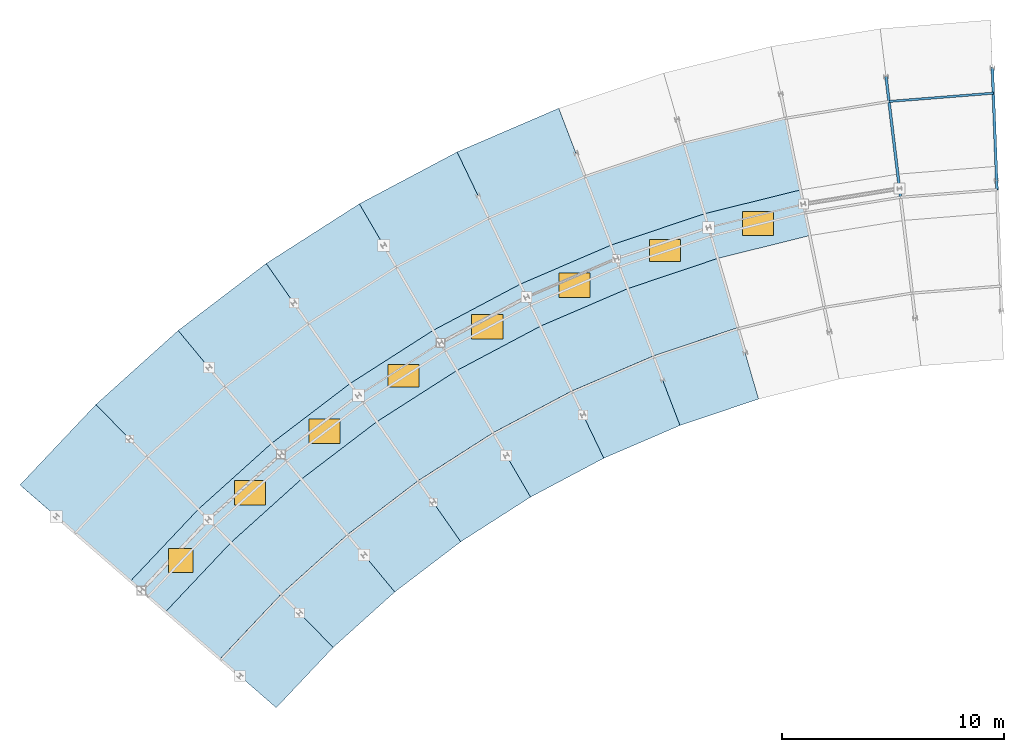
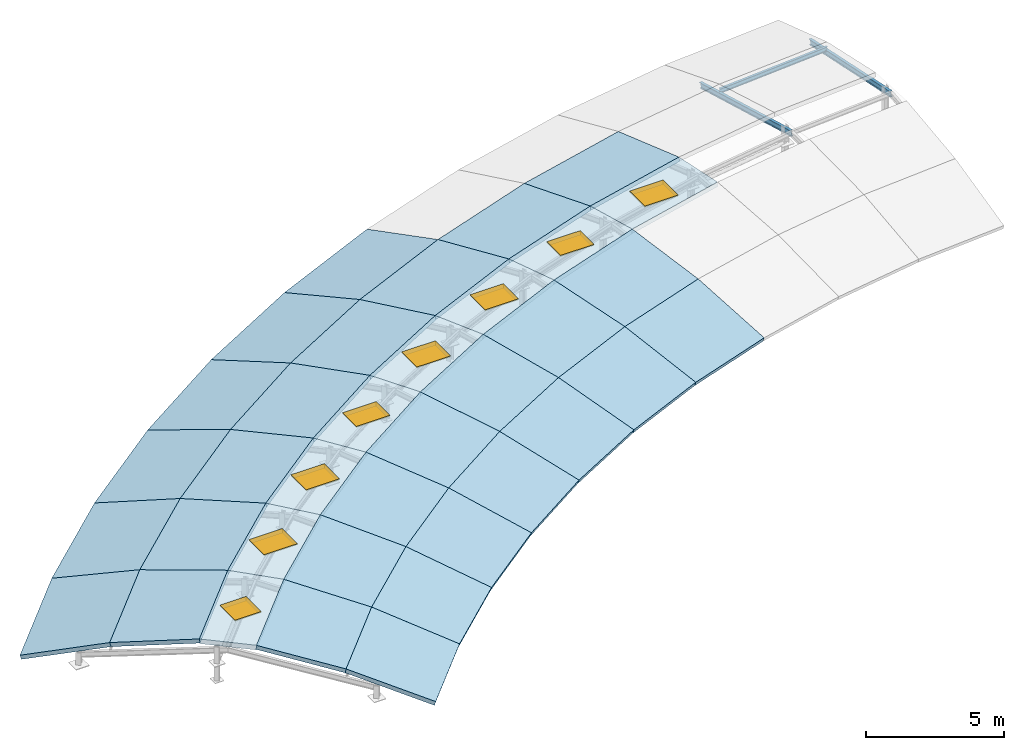
# One storey, part 7 of 8: 36 slabs, 8 windows, 3 beams, 8 openings.
"""IFC4 building model written with IfcOpenShell, lengths in metres."""

from ifc_helpers import new_model, si_unit, direction, frame, origin, origin_2d, place, context, subcontext, project, spatial, polyline, rectangle, i_section, outline, extrude, material, layer, layer_set, material_profile, profile_set, type_object, element, fill, save


model = new_model("IFC4")

# Units and contexts
model_context = context("Model", 3, precision=1e-05, world=origin(), true_north=direction((0.0, 1.0)))
body_context = subcontext(model_context, "Body", "Model", "MODEL_VIEW")
ifc_project = project(units=[si_unit("LENGTHUNIT", "METRE"), si_unit("AREAUNIT", "SQUARE_METRE"), si_unit("VOLUMEUNIT", "CUBIC_METRE"), si_unit("PLANEANGLEUNIT", "RADIAN"), si_unit("MASSUNIT", "GRAM", prefix="KILO")], contexts=[model_context])

# Site, building, storey
site_placement = place(None, origin())
site = spatial("IfcSite", under=ifc_project, at=site_placement, CompositionType="ELEMENT")
building_placement = place(site_placement, origin())
building = spatial("IfcBuilding", under=site, at=building_placement, Name="Zimvara Arc Housing Community", CompositionType="ELEMENT")
storey_placement = place(building_placement, frame((0.0, 0.0, 45.300048828125)))
storey = spatial("IfcBuildingStorey", under=building, at=storey_placement, Name="RF", CompositionType="ELEMENT", Elevation=45.300048828125)

# Beams
ifc_material_1 = material(Name="Steel S355", Category="steel")
ifc_material_profile_1 = material_profile(ifc_material_1, i_section(OverallWidth=0.10009765625, OverallDepth=0.199951171875, WebThickness=0.005615234375, FlangeThickness=0.008544921875, FilletRadius=0.011962890625, at=origin_2d()), Name="IPE 200")
ifc_profile_set_1 = profile_set([ifc_material_profile_1], Name="Steel S355")
beam_type_1 = type_object("IfcBeamType", Name="BM-ST-IPE200", PredefinedType="JOIST", material=ifc_profile_set_1)
beam_placement = place(storey_placement, frame((38.08203125, 101.834228515625, 0.824951171875), z_axis=(0.996862345844, 0.079154680453, 0.0), x_axis=(-0.079154680453, 0.996862345844, 0.0)))
element("IfcBeam", 1, at=beam_placement, inside=storey, type_object=beam_type_1, Name="bm:blkA:RF:p_out:b9", PredefinedType="JOIST", context=body_context, shape_type="SweptSolid", body=[
    extrude(i_section(OverallWidth=0.10009765625, OverallDepth=0.199951171875, WebThickness=0.005615234375, FlangeThickness=0.008544921875, FilletRadius=0.011962890625, at=origin_2d()), origin(), (0.0, 0.0, 1.0), 4.716064453125),
])
ifc_material_2 = material(Name="Steel S355", Category="steel")
ifc_material_profile_2 = material_profile(ifc_material_2, i_section(OverallWidth=0.1201171875, OverallDepth=0.239990234375, WebThickness=0.006103515625, FlangeThickness=0.009765625, FilletRadius=0.014892578125, at=origin_2d()), Name="IPE 240")
ifc_profile_set_2 = profile_set([ifc_material_profile_2], Name="Steel S355")
beam_type_2 = type_object("IfcBeamType", Name="BM-ST-IPE240", PredefinedType="JOIST", material=ifc_profile_set_2)
for number, where, z_axis, x_axis, name in (
    (2, (38.603271484375, 97.515380859375, 1.39501953125), (-0.118098105416, 0.978734205727, -0.167726539451), (-0.992798627952, -0.119795176601, 0.0), "bm:blkA:RF:rf_out:g9"),
    (3, (42.9501953125, 97.860595703125, 1.39501953125), (-0.037858296686, 0.985106258315, -0.167727186826), (-0.999262358654, -0.038402325152, 0.0), "bm:blkA:RF:rf_out:g10"),
):
    element("IfcBeam", number, at=place(storey_placement, frame(where, z_axis=z_axis, x_axis=x_axis)), inside=storey, type_object=beam_type_2, Name=name, PredefinedType="JOIST", context=body_context, shape_type="SweptSolid", body=[
        extrude(i_section(OverallWidth=0.1201171875, OverallDepth=0.239990234375, WebThickness=0.006103515625, FlangeThickness=0.009765625, FilletRadius=0.014892578125, at=origin_2d()), origin(), (0.0, 0.0, 1.0), 5.558837890625),
    ])

# Slabs
ifc_material_3 = material(Name="Concrete C40/50", Category="concrete")
ifc_layer_1 = layer(ifc_material_3, 0.179931640625)
ifc_layer_set_1 = layer_set([ifc_layer_1], Name="Concrete C40/50")
slab_type_1 = type_object("IfcSlabType", Name="SLB-BRL-ROOF-180", PredefinedType="ROOF", material=ifc_layer_set_1)
slab_1_placement = place(storey_placement, frame((10.471923828125, 74.5146484375, 0.119873046875), z_axis=(0.211074141354, -0.199193726997, 0.956958497521), x_axis=(0.686355593412, 0.727266113169, -5.297975e-06)))
element("IfcSlab", 4, at=slab_1_placement, inside=storey, type_object=slab_type_1, Name="roof:blkA:in1:b0:t0", PredefinedType="ROOF", context=body_context, shape_type="SweptSolid", body=[
    extrude(outline(polyline([(0.0, 0.0), (3.735971037857521, -4.440892098500626e-16), (3.8705966862365684, 3.445675591919072), (-0.1347996136052343, 3.4455342753605955), (0.0, 0.0)])), origin(), (0.0, 0.0, -1.0), 0.179931640625),
])
slab_2_placement = place(storey_placement, frame((7.9814453125, 76.6796875, 1.119873046875), z_axis=(0.130227289342, -0.122888904772, 0.983838996073), x_axis=(0.686329560506, 0.727290680792, -2.930405e-06)))
element("IfcSlab", 5, at=slab_2_placement, inside=storey, type_object=slab_type_1, Name="roof:blkA:in2:b0:t0", PredefinedType="ROOF", context=body_context, shape_type="SweptSolid", body=[
    extrude(outline(polyline([(0.0, 0.0), (4.005396302370371, 0.0), (4.140143519555409, 3.3515316997951), (-0.13467804989970555, 3.351396186473663), (0.0, 0.0)])), origin(), (0.0, 0.0, -1.0), 0.179931640625),
])
slab_3_placement = place(storey_placement, frame((2.346435546875, 88.17822265625, 0.119873046875), z_axis=(-0.211079264634, 0.199188298067, 0.956958497509), x_axis=(-0.686315124045, -0.727304303915, 3.777367e-06)))
element("IfcSlab", 6, at=slab_3_placement, inside=storey, type_object=slab_type_1, Name="roof:blkA:out2:b0:t0", PredefinedType="ROOF", context=body_context, shape_type="SweptSolid", body=[
    extrude(outline(polyline([(0.0, 0.0), (4.985160245557532, -8.881784197001252e-16), (4.850553179842792, 3.445541803027941), (0.1348182040473599, 3.4456680632130485), (0.0, 0.0)])), origin(), (0.0, 0.0, -1.0), 0.179931640625),
])
slab_4_placement = place(storey_placement, frame((4.652099609375, 85.817138671875, 1.119873046875), z_axis=(-0.130228031957, 0.122894534297, 0.983838194589), x_axis=(-0.686334567989, -0.727285955305, -5.40002e-07)))
element("IfcSlab", 7, at=slab_4_placement, inside=storey, type_object=slab_type_1, Name="roof:blkA:out1:b0:t0", PredefinedType="ROOF", context=body_context, shape_type="SweptSolid", body=[
    extrude(outline(polyline([(0.0, 0.0), (4.715734977526038, 0.0), (4.581035660206606, 3.3513953317811236), (0.134548388764996, 3.351367700663763), (0.0, 0.0)])), origin(), (0.0, 0.0, -1.0), 0.179931640625),
])
slab_5_placement = place(storey_placement, frame((13.0361328125, 77.231689453125, 0.119873046875), z_axis=(0.194129981956, -0.215749813979, 0.956956408555), x_axis=(0.743345251785, 0.668907943228, 1.1666158e-05)))
element("IfcSlab", 8, at=slab_5_placement, inside=storey, type_object=slab_type_1, Name="roof:blkA:in1:b1:t0", PredefinedType="ROOF", context=body_context, shape_type="SweptSolid", body=[
    extrude(outline(polyline([(0.0, 0.0), (3.735960436017862, 2.220446049250313e-16), (3.870768920284871, 3.4453675758774387), (-0.1345449351358266, 3.4456787442724703), (0.0, 0.0)])), origin(), (0.0, 0.0, -1.0), 0.179931640625),
])
slab_6_placement = place(storey_placement, frame((10.73046875, 79.5927734375, 1.119873046875), z_axis=(0.119759088135, -0.133110822128, 0.983839046715), x_axis=(0.743397502482, 0.668849873512, 2.591404e-06)))
element("IfcSlab", 9, at=slab_6_placement, inside=storey, type_object=slab_type_1, Name="roof:blkA:in2:b1:t0", PredefinedType="ROOF", context=body_context, shape_type="SweptSolid", body=[
    extrude(outline(polyline([(0.0, 0.0), (4.005313867752914, -4.440892098500626e-16), (4.14001797887404, 3.35140923369186), (-0.1348126262298172, 3.3515290694115416), (0.0, 0.0)])), origin(), (0.0, 0.0, -1.0), 0.179931640625),
])
slab_7_placement = place(storey_placement, frame((6.052490234375, 91.5126953125, 0.119873046875), z_axis=(-0.194121217276, 0.215747860528, 0.956958626943), x_axis=(-0.743390820217, -0.66885730048, -3.552249e-06)))
element("IfcSlab", 10, at=slab_7_placement, inside=storey, type_object=slab_type_1, Name="roof:blkA:out2:b1:t0", PredefinedType="ROOF", context=body_context, shape_type="SweptSolid", body=[
    extrude(outline(polyline([(0.0, 0.0), (4.985333413291151, -4.440892098500626e-16), (4.850548622471289, 3.4456693704122743), (0.13473194530120491, 3.4455506315936573), (0.0, 0.0)])), origin(), (0.0, 0.0, -1.0), 0.179931640625),
])
slab_8_placement = place(storey_placement, frame((8.15771484375, 88.971435546875, 1.119873046875), z_axis=(-0.119768131478, 0.133109101782, 0.983838178617), x_axis=(-0.743374059817, -0.668875928099, 9.67496e-07)))
element("IfcSlab", 11, at=slab_8_placement, inside=storey, type_object=slab_type_1, Name="roof:blkA:out1:b1:t0", PredefinedType="ROOF", context=body_context, shape_type="SweptSolid", body=[
    extrude(outline(polyline([(0.0, 0.0), (4.715816678698966, 4.440892098500626e-16), (4.580955346156924, 3.3513551221769617), (0.13481870016667144, 3.351404626034159), (0.0, 0.0)])), origin(), (0.0, 0.0, -1.0), 0.179931640625),
])
slab_9_placement = place(storey_placement, frame((15.813232421875, 79.730712890625, 0.119873046875), z_axis=(0.175882009025, -0.230875457384, 0.956954566361), x_axis=(0.79548303018, 0.605975864746, -6.477378e-06)))
element("IfcSlab", 12, at=slab_9_placement, inside=storey, type_object=slab_type_1, Name="roof:blkA:in1:b2:t0", PredefinedType="ROOF", context=body_context, shape_type="SweptSolid", body=[
    extrude(outline(polyline([(0.0, 0.0), (3.7359934375398796, 2.220446049250313e-16), (3.8704066628026528, 3.4455374339521803), (-0.1348827881606636, 3.4453646679605323), (0.0, 0.0)])), origin(), (0.0, 0.0, -1.0), 0.179931640625),
])
slab_10_placement = place(storey_placement, frame((13.7080078125, 82.271728515625, 1.119873046875), z_axis=(0.108511024271, -0.142432268418, 0.983838607966), x_axis=(0.795456857751, 0.606010220588, -4.35026e-07)))
element("IfcSlab", 13, at=slab_10_placement, inside=storey, type_object=slab_type_1, Name="roof:blkA:in2:b2:t0", PredefinedType="ROOF", context=body_context, shape_type="SweptSolid", body=[
    extrude(outline(polyline([(0.0, 0.0), (4.005289454768839, 0.0), (4.140193456500459, 3.351434086661108), (-0.13458622255513092, 3.351413969958724), (0.0, 0.0)])), origin(), (0.0, 0.0, -1.0), 0.179931640625),
])
slab_11_placement = place(storey_placement, frame((10.01806640625, 94.53369140625, 0.119873046875), z_axis=(-0.175875567209, 0.230868180919, 0.956957505795), x_axis=(-0.795470079443, -0.605992865231, 7.51366e-07)))
element("IfcSlab", 14, at=slab_11_placement, inside=storey, type_object=slab_type_1, Name="roof:blkA:out2:b2:t0", PredefinedType="ROOF", context=body_context, shape_type="SweptSolid", body=[
    extrude(outline(polyline([(0.0, 0.0), (4.985199271180663, -8.881784197001252e-16), (4.850542121948817, 3.4455535555913195), (0.13483307454506263, 3.4455786701041937), (0.0, 0.0)])), origin(), (0.0, 0.0, -1.0), 0.179931640625),
])
slab_12_placement = place(storey_placement, frame((11.908935546875, 91.8291015625, 1.119873046875), z_axis=(-0.108506384544, 0.142435802798, 0.983838608002), x_axis=(-0.79547337268, -0.605988542265, 5.33454e-07)))
element("IfcSlab", 15, at=slab_12_placement, inside=storey, type_object=slab_type_1, Name="roof:blkA:out1:b2:t0", PredefinedType="ROOF", context=body_context, shape_type="SweptSolid", body=[
    extrude(outline(polyline([(0.0, 0.0), (4.715709047471562, 0.0), (4.5810335482169995, 3.351410383589765), (0.1348147243754488, 3.3514376791170317), (0.0, 0.0)])), origin(), (0.0, 0.0, -1.0), 0.179931640625),
])
slab_13_placement = place(storey_placement, frame((18.78515625, 81.99462890625, 0.119873046875), z_axis=(0.156447102346, -0.244455462342, 0.956956546087), x_axis=(0.842280674897, 0.539039205154, -1.350984e-06)))
element("IfcSlab", 16, at=slab_13_placement, inside=storey, type_object=slab_type_1, Name="roof:blkA:in1:b3:t0", PredefinedType="ROOF", context=body_context, shape_type="SweptSolid", body=[
    extrude(outline(polyline([(0.0, 0.0), (3.735671069869153, -4.440892098500626e-16), (3.8704504421113164, 3.4455465624924706), (-0.13510116354909282, 3.4455105282251943), (0.0, 0.0)])), origin(), (0.0, 0.0, -1.0), 0.179931640625),
])
slab_14_placement = place(storey_placement, frame((16.89404296875, 84.698974609375, 1.119873046875), z_axis=(0.096520263399, -0.150811921705, 0.983839216043), x_axis=(0.842275634914, 0.539047080343, -1.971929e-06)))
element("IfcSlab", 17, at=slab_14_placement, inside=storey, type_object=slab_type_1, Name="roof:blkA:in2:b3:t0", PredefinedType="ROOF", context=body_context, shape_type="SweptSolid", body=[
    extrude(outline(polyline([(0.0, 0.0), (4.005551605817919, 2.220446049250313e-16), (4.140156340747122, 3.3515321610769826), (-0.1347329305100551, 3.3514409683436224), (0.0, 0.0)])), origin(), (0.0, 0.0, -1.0), 0.179931640625),
])
slab_15_placement = place(storey_placement, frame((14.217041015625, 97.220947265625, 0.119873046875), z_axis=(-0.15645556572, 0.244456343302, 0.956954937379), x_axis=(-0.842278268879, -0.539042964638, -6.950205e-06)))
element("IfcSlab", 18, at=slab_15_placement, inside=storey, type_object=slab_type_1, Name="roof:blkA:out2:b3:t0", PredefinedType="ROOF", context=body_context, shape_type="SweptSolid", body=[
    extrude(outline(polyline([(0.0, 0.0), (4.98525143023, -4.440892098500626e-16), (4.850496621088939, 3.4455817317233937), (0.13465688789324845, 3.445349422672999), (0.0, 0.0)])), origin(), (0.0, 0.0, -1.0), 0.179931640625),
])
slab_16_placement = place(storey_placement, frame((15.880859375, 94.371337890625, 1.119873046875), z_axis=(-0.096524010995, 0.150809523184, 0.98383921604), x_axis=(-0.842251807739, -0.539084309138, 1.549914e-06)))
element("IfcSlab", 19, at=slab_16_placement, inside=storey, type_object=slab_type_1, Name="roof:blkA:out1:b3:t0", PredefinedType="ROOF", context=body_context, shape_type="SweptSolid", body=[
    extrude(outline(polyline([(0.0, 0.0), (4.715839739050771, 0.0), (4.5812546646801, 3.351446909115788), (0.13475259489841845, 3.3515262194373645), (0.0, 0.0)])), origin(), (0.0, 0.0, -1.0), 0.179931640625),
])
slab_17_placement = place(storey_placement, frame((21.931640625, 84.00830078125, 0.119873046875), z_axis=(0.135986745454, -0.256395013371, 0.95695830744), x_axis=(0.883439094078, 0.468546013796, -3.287226e-06)))
element("IfcSlab", 20, at=slab_17_placement, inside=storey, type_object=slab_type_1, Name="roof:blkA:in1:b4:t0", PredefinedType="ROOF", context=body_context, shape_type="SweptSolid", body=[
    extrude(outline(polyline([(0.0, 0.0), (3.7360078202528384, 0.0), (3.8706256657567035, 3.445641334457608), (-0.13459796669446164, 3.445553653726859), (0.0, 0.0)])), origin(), (0.0, 0.0, -1.0), 0.179931640625),
])
slab_18_placement = place(storey_placement, frame((20.267822265625, 86.858154296875, 1.119873046875), z_axis=(0.083896599764, -0.158184502053, 0.983838921703), x_axis=(0.883429102456, 0.468564852422, 3.049312e-06)))
element("IfcSlab", 21, at=slab_18_placement, inside=storey, type_object=slab_type_1, Name="roof:blkA:in2:b4:t0", PredefinedType="ROOF", context=body_context, shape_type="SweptSolid", body=[
    extrude(outline(polyline([(0.0, 0.0), (4.005223633412223, 0.0), (4.140132590415215, 3.35138578778436), (-0.13473821894886587, 3.3515267973960094), (0.0, 0.0)])), origin(), (0.0, 0.0, -1.0), 0.179931640625),
])
slab_19_placement = place(storey_placement, frame((18.62109375, 99.556884765625, 0.119873046875), z_axis=(-0.135988231585, 0.256404064967, 0.956955671042), x_axis=(-0.883425537686, -0.468571573286, 8.54743e-06)))
element("IfcSlab", 22, at=slab_19_placement, inside=storey, type_object=slab_type_1, Name="roof:blkA:out2:b4:t0", PredefinedType="ROOF", context=body_context, shape_type="SweptSolid", body=[
    extrude(outline(polyline([(0.0, 0.0), (4.985206564334068, 2.220446049250313e-16), (4.850601431115946, 3.445351444948666), (0.13472507885902446, 3.4456371430200474), (0.0, 0.0)])), origin(), (0.0, 0.0, -1.0), 0.179931640625),
])
slab_20_placement = place(storey_placement, frame((20.047119140625, 96.580810546875, 1.119873046875), z_axis=(-0.083893074073, 0.15818637194, 0.983838921702), x_axis=(-0.883453774084, -0.46851833374, -2.477548e-06)))
element("IfcSlab", 23, at=slab_20_placement, inside=storey, type_object=slab_type_1, Name="roof:blkA:out1:b4:t0", PredefinedType="ROOF", context=body_context, shape_type="SweptSolid", body=[
    extrude(outline(polyline([(0.0, 0.0), (4.715876361106288, -4.440892098500626e-16), (4.580961198942517, 3.351519679241113), (0.1347320209538108, 3.3513929056118434), (0.0, 0.0)])), origin(), (0.0, 0.0, -1.0), 0.179931640625),
])
slab_21_placement = place(storey_placement, frame((25.232177734375, 85.7587890625, 0.119873046875), z_axis=(0.114613530394, -0.266635262251, 0.956958398038), x_axis=(0.918715489381, 0.394920054652, 2.494021e-06)))
element("IfcSlab", 24, at=slab_21_placement, inside=storey, type_object=slab_type_1, Name="roof:blkA:in1:b5:t0", PredefinedType="ROOF", context=body_context, shape_type="SweptSolid", body=[
    extrude(outline(polyline([(0.0, 0.0), (3.735792050774291, 2.220446049250313e-16), (3.8706919223056087, 3.4455677780018448), (-0.13479772747975743, 3.445634301951835), (0.0, 0.0)])), origin(), (0.0, 0.0, -1.0), 0.179931640625),
])
slab_22_placement = place(storey_placement, frame((23.80615234375, 88.73486328125, 1.119873046875), z_axis=(0.070712457889, -0.164501230055, 0.983838957152), x_axis=(0.918721848751, 0.39490526031, -2.722971e-06)))
element("IfcSlab", 25, at=slab_22_placement, inside=storey, type_object=slab_type_1, Name="roof:blkA:in2:b5:t0", PredefinedType="ROOF", context=body_context, shape_type="SweptSolid", body=[
    extrude(outline(polyline([(0.0, 0.0), (4.00548965033428, 0.0), (4.140107999868526, 3.351522899930278), (-0.13463065590513612, 3.351396979136369), (0.0, 0.0)])), origin(), (0.0, 0.0, -1.0), 0.179931640625),
])
slab_23_placement = place(storey_placement, frame((23.201171875, 101.525634765625, 0.119873046875), z_axis=(-0.114611047835, 0.266632099941, 0.956959576469), x_axis=(-0.918719042935, -0.394911787806, 8.43398e-07)))
element("IfcSlab", 26, at=slab_23_placement, inside=storey, type_object=slab_type_1, Name="roof:blkA:out2:b5:t0", PredefinedType="ROOF", context=body_context, shape_type="SweptSolid", body=[
    extrude(outline(polyline([(0.0, 0.0), (4.985287573809982, 0.0), (4.85045852550313, 3.4456330765084333), (0.13464425467639266, 3.445661268397966), (0.0, 0.0)])), origin(), (0.0, 0.0, -1.0), 0.179931640625),
])
slab_24_placement = place(storey_placement, frame((24.379638671875, 98.443115234375, 1.119873046875), z_axis=(-0.070710621349, 0.164504777522, 0.983838495994), x_axis=(-0.918721451973, -0.394906183397, 5.98803e-07)))
element("IfcSlab", 27, at=slab_24_placement, inside=storey, type_object=slab_type_1, Name="roof:blkA:out1:b5:t0", PredefinedType="ROOF", context=body_context, shape_type="SweptSolid", body=[
    extrude(outline(polyline([(0.0, 0.0), (4.715814270912177, 2.220446049250313e-16), (4.581188921288734, 3.351397192310583), (0.13484795317470274, 3.351427832251744), (0.0, 0.0)])), origin(), (0.0, 0.0, -1.0), 0.179931640625),
])
slab_25_placement = place(storey_placement, frame((28.664306640625, 87.234130859375, 0.119873046875), z_axis=(0.092474087513, -0.275106520269, 0.956956083446), x_axis=(0.947876950025, 0.318636607415, 5.175022e-06)))
element("IfcSlab", 28, at=slab_25_placement, inside=storey, type_object=slab_type_1, Name="roof:blkA:in1:b6:t0", PredefinedType="ROOF", context=body_context, shape_type="SweptSolid", body=[
    extrude(outline(polyline([(0.0, 0.0), (3.735992982877189, 2.220446049250313e-16), (3.8707570405482006, 3.445441419482121), (-0.13460135710647503, 3.4455794523556467), (0.0, 0.0)])), origin(), (0.0, 0.0, -1.0), 0.179931640625),
])
slab_26_placement = place(storey_placement, frame((27.486083984375, 90.316650390625, 1.119873046875), z_axis=(0.057048152741, -0.169719046301, 0.983839902419), x_axis=(0.947887804654, 0.318604315387, -2.061013e-06)))
element("IfcSlab", 29, at=slab_26_placement, inside=storey, type_object=slab_type_1, Name="roof:blkA:in2:b6:t0", PredefinedType="ROOF", context=body_context, shape_type="SweptSolid", body=[
    extrude(outline(polyline([(0.0, 0.0), (4.0053584000752895, 0.0), (4.139850087019136, 3.351604812491285), (-0.13495151683660364, 3.351509501246324), (0.0, 0.0)])), origin(), (0.0, 0.0, -1.0), 0.179931640625),
])
slab_27_placement = place(storey_placement, frame((28.849609375, 99.94580078125, 1.119873046875), z_axis=(-0.057054089524, 0.169721364154, 0.983839158307), x_axis=(-0.947872672327, -0.318649332421, 1.613151e-06)))
element("IfcSlab", 30, at=slab_27_placement, inside=storey, type_object=slab_type_1, Name="roof:blkA:out1:b6:t0", PredefinedType="ROOF", context=body_context, shape_type="SweptSolid", body=[
    extrude(outline(polyline([(0.0, 0.0), (4.715792821946596, -2.220446049250313e-16), (4.58123152302494, 3.351439353777418), (0.13488190915125228, 3.3515218980109505), (0.0, 0.0)])), origin(), (0.0, 0.0, -1.0), 0.179931640625),
])
slab_28_placement = place(storey_placement, frame((33.42724609375, 101.07861328125, 1.119873046875), z_axis=(-0.04301214547, 0.173809145571, 0.983839588682), x_axis=(-0.970718356208, -0.240220467321, -1.67684e-07)))
element("IfcSlab", 31, at=slab_28_placement, inside=storey, type_object=slab_type_1, Name="roof:blkA:out1:b7:t0", PredefinedType="ROOF", context=body_context, shape_type="SweptSolid", body=[
    extrude(outline(polyline([(0.0, 0.0), (4.715720739081553, 0.0), (4.581019915413614, 3.3515291809001946), (0.13465898671763693, 3.3515206005421576), (0.0, 0.0)])), origin(), (0.0, 0.0, -1.0), 0.179931640625),
])

# Slab, opening, window
ifc_material_4 = material(Name="Concrete C40/50", Category="concrete")
ifc_layer_2 = layer(ifc_material_4, 0.205078125)
ifc_layer_set_2 = layer_set([ifc_layer_2], Name="Concrete C40/50")
slab_type_2 = type_object("IfcSlabType", Name="SLB-CURB-ROOF-205", PredefinedType="ROOF", material=ifc_layer_set_2)
slab_29_placement = place(storey_placement, frame((0.0, 0.0, 1.514892578125)))
slab_29 = element("IfcSlab", 32, at=slab_29_placement, inside=storey, type_object=slab_type_2, Name="roof:blkA:curb:b0", PredefinedType="ROOF", context=body_context, shape_type="SweptSolid", body=[
    extrude(outline(polyline([(5.490966796875, 78.8447265625), (8.4248046875, 81.953857421875), (6.957763671875, 83.456298828125), (3.906005859375, 80.222412109375), (5.490966796875, 78.8447265625)])), origin(), (0.0, 0.0, 1.0), 0.205078125),
])
opening_1_placement = place(slab_29_placement, frame((6.16259765625, 81.14990234375, 0.0)))
opening_1 = element("IfcOpeningElement", 33, at=opening_1_placement, cuts=slab_29, Name="Opening SK4", PredefinedType="OPENING", context=body_context, shape_type="SweptSolid", body=[
    extrude(rectangle(XDim=1.10009765625, YDim=1.10009765625, at=origin_2d()), origin(), (0.0, 0.0, 1.0), 0.205078125),
])
ifc_material_5 = material(Name="Solar Control Low-E Double Glazing", Category="glass")
window_type_1 = type_object("IfcWindowType", Name="SKY-HTCH-1100x1100", PartitioningType="SINGLE_PANEL", PredefinedType="SKYLIGHT", material=ifc_material_5)
window_1_placement = place(opening_1_placement, frame((0.0, 0.0, 0.155029296875)))
window_1 = element("IfcWindow", 34, at=window_1_placement, inside=storey, type_object=window_type_1, Name="ROOF ACCESS HATCH", OverallHeight=1.10009765625, OverallWidth=1.10009765625, PartitioningType="SINGLE_PANEL", PredefinedType="SKYLIGHT", context=body_context, shape_type="SweptSolid", body=[
    extrude(rectangle(XDim=1.10009765625, YDim=1.10009765625, at=origin_2d()), origin(), (0.0, 0.0, 1.0), 0.050048828125),
])
fill(opening_1, window_1)

slab_30_placement = place(storey_placement, frame((0.0, 0.0, 1.514892578125)))
slab_30 = element("IfcSlab", 35, at=slab_30_placement, inside=storey, type_object=slab_type_2, Name="roof:blkA:curb:b1", PredefinedType="ROOF", context=body_context, shape_type="SweptSolid", body=[
    extrude(outline(polyline([(8.4248046875, 81.953857421875), (11.602783203125, 84.81298828125), (10.262939453125, 86.43017578125), (6.957763671875, 83.456298828125), (8.4248046875, 81.953857421875)])), origin(), (0.0, 0.0, 1.0), 0.205078125),
])
opening_2_placement = place(slab_30_placement, frame((9.2822265625, 84.1962890625, 0.0)))
opening_2 = element("IfcOpeningElement", 36, at=opening_2_placement, cuts=slab_30, Name="Opening SK1", PredefinedType="OPENING", context=body_context, shape_type="SweptSolid", body=[
    extrude(rectangle(XDim=1.39990234375, YDim=1.10009765625, at=origin_2d()), origin(), (0.0, 0.0, 1.0), 0.205078125),
])
ifc_material_6 = material(Name="Solar Control Low-E Double Glazing", Category="glass")
window_type_2 = type_object("IfcWindowType", Name="SKY-BRL-2200x1200", PartitioningType="SINGLE_PANEL", PredefinedType="SKYLIGHT", material=ifc_material_6)
window_2_placement = place(opening_2_placement, frame((0.0, 0.0, 0.155029296875)))
window_2 = element("IfcWindow", 37, at=window_2_placement, inside=storey, type_object=window_type_2, Name="sky:blkA:b1", OverallHeight=1.10009765625, OverallWidth=1.39990234375, PartitioningType="SINGLE_PANEL", PredefinedType="SKYLIGHT", context=body_context, shape_type="SweptSolid", body=[
    extrude(rectangle(XDim=1.39990234375, YDim=1.10009765625, at=origin_2d()), origin(), (0.0, 0.0, 1.0), 0.050048828125),
])
fill(opening_2, window_2)

slab_31_placement = place(storey_placement, frame((0.0, 0.0, 1.514892578125)))
slab_31 = element("IfcSlab", 38, at=slab_31_placement, inside=storey, type_object=slab_type_2, Name="roof:blkA:curb:b2", PredefinedType="ROOF", context=body_context, shape_type="SweptSolid", body=[
    extrude(outline(polyline([(11.602783203125, 84.81298828125), (15.003173828125, 87.403564453125), (13.7998046875, 89.12451171875), (10.262939453125, 86.43017578125), (11.602783203125, 84.81298828125)])), origin(), (0.0, 0.0, 1.0), 0.205078125),
])
opening_3_placement = place(slab_31_placement, frame((12.64013671875, 86.978271484375, 0.0)))
opening_3 = element("IfcOpeningElement", 39, at=opening_3_placement, cuts=slab_31, Name="Opening SK2", PredefinedType="OPENING", context=body_context, shape_type="SweptSolid", body=[
    extrude(rectangle(XDim=1.39990234375, YDim=1.10009765625, at=origin_2d()), origin(), (0.0, 0.0, 1.0), 0.205078125),
])
ifc_material_7 = material(Name="Solar Control Low-E Double Glazing", Category="glass")
window_type_3 = type_object("IfcWindowType", Name="SKY-BRL-2000x1100", PartitioningType="SINGLE_PANEL", PredefinedType="SKYLIGHT", material=ifc_material_7)
window_3_placement = place(opening_3_placement, frame((0.0, 0.0, 0.155029296875)))
window_3 = element("IfcWindow", 40, at=window_3_placement, inside=storey, type_object=window_type_3, Name="sky:blkA:b2", OverallHeight=1.10009765625, OverallWidth=1.39990234375, PartitioningType="SINGLE_PANEL", PredefinedType="SKYLIGHT", context=body_context, shape_type="SweptSolid", body=[
    extrude(rectangle(XDim=1.39990234375, YDim=1.10009765625, at=origin_2d()), origin(), (0.0, 0.0, 1.0), 0.050048828125),
])
fill(opening_3, window_3)

slab_32_placement = place(storey_placement, frame((0.0, 0.0, 1.514892578125)))
slab_32 = element("IfcSlab", 41, at=slab_32_placement, inside=storey, type_object=slab_type_2, Name="roof:blkA:curb:b3", PredefinedType="ROOF", context=body_context, shape_type="SweptSolid", body=[
    extrude(outline(polyline([(15.003173828125, 87.403564453125), (18.603759765625, 89.7080078125), (17.544921875, 91.521484375), (13.7998046875, 89.12451171875), (15.003173828125, 87.403564453125)])), origin(), (0.0, 0.0, 1.0), 0.205078125),
])
opening_4_placement = place(slab_32_placement, frame((16.2138671875, 89.476806640625, 0.0)))
opening_4 = element("IfcOpeningElement", 42, at=opening_4_placement, cuts=slab_32, Name="Opening SK3", PredefinedType="OPENING", context=body_context, shape_type="SweptSolid", body=[
    extrude(rectangle(XDim=1.39990234375, YDim=1.0, at=origin_2d()), origin(), (0.0, 0.0, 1.0), 0.205078125),
])
ifc_material_8 = material(Name="Solar Control Low-E Double Glazing", Category="glass")
window_type_4 = type_object("IfcWindowType", Name="SKY-BRL-1800x1000", PartitioningType="SINGLE_PANEL", PredefinedType="SKYLIGHT", material=ifc_material_8)
window_4_placement = place(opening_4_placement, frame((0.0, 0.0, 0.155029296875)))
window_4 = element("IfcWindow", 43, at=window_4_placement, inside=storey, type_object=window_type_4, Name="sky:blkA:b3", OverallHeight=1.0, OverallWidth=1.39990234375, PartitioningType="SINGLE_PANEL", PredefinedType="SKYLIGHT", context=body_context, shape_type="SweptSolid", body=[
    extrude(rectangle(XDim=1.39990234375, YDim=1.0, at=origin_2d()), origin(), (0.0, 0.0, 1.0), 0.050048828125),
])
fill(opening_4, window_4)

slab_33_placement = place(storey_placement, frame((0.0, 0.0, 1.514892578125)))
slab_33 = element("IfcSlab", 44, at=slab_33_placement, inside=storey, type_object=slab_type_2, Name="roof:blkA:curb:b4", PredefinedType="ROOF", context=body_context, shape_type="SweptSolid", body=[
    extrude(outline(polyline([(18.603759765625, 89.7080078125), (22.38037109375, 91.7109375), (21.472900390625, 93.604736328125), (17.544921875, 91.521484375), (18.603759765625, 89.7080078125)])), origin(), (0.0, 0.0, 1.0), 0.205078125),
])
opening_5_placement = place(slab_33_placement, frame((19.9794921875, 91.675537109375, 0.0)))
opening_5 = element("IfcOpeningElement", 45, at=opening_5_placement, cuts=slab_33, Name="Opening SK1", PredefinedType="OPENING", context=body_context, shape_type="SweptSolid", body=[
    extrude(rectangle(XDim=1.39990234375, YDim=1.10009765625, at=origin_2d()), origin(), (0.0, 0.0, 1.0), 0.205078125),
])
window_5_placement = place(opening_5_placement, frame((0.0, 0.0, 0.155029296875)))
window_5 = element("IfcWindow", 46, at=window_5_placement, inside=storey, type_object=window_type_2, Name="sky:blkA:b4", OverallHeight=1.10009765625, OverallWidth=1.39990234375, PartitioningType="SINGLE_PANEL", PredefinedType="SKYLIGHT", context=body_context, shape_type="SweptSolid", body=[
    extrude(rectangle(XDim=1.39990234375, YDim=1.10009765625, at=origin_2d()), origin(), (0.0, 0.0, 1.0), 0.050048828125),
])
fill(opening_5, window_5)

slab_34_placement = place(storey_placement, frame((0.0, 0.0, 1.514892578125)))
slab_34 = element("IfcSlab", 47, at=slab_34_placement, inside=storey, type_object=slab_type_2, Name="roof:blkA:curb:b5", PredefinedType="ROOF", context=body_context, shape_type="SweptSolid", body=[
    extrude(outline(polyline([(22.38037109375, 91.7109375), (26.3076171875, 93.399169921875), (25.557861328125, 95.360595703125), (21.472900390625, 93.604736328125), (22.38037109375, 91.7109375)])), origin(), (0.0, 0.0, 1.0), 0.205078125),
])
opening_6_placement = place(slab_34_placement, frame((23.912109375, 93.559814453125, 0.0)))
opening_6 = element("IfcOpeningElement", 48, at=opening_6_placement, cuts=slab_34, Name="Opening SK2", PredefinedType="OPENING", context=body_context, shape_type="SweptSolid", body=[
    extrude(rectangle(XDim=1.39990234375, YDim=1.10009765625, at=origin_2d()), origin(), (0.0, 0.0, 1.0), 0.205078125),
])
window_6_placement = place(opening_6_placement, frame((0.0, 0.0, 0.155029296875)))
window_6 = element("IfcWindow", 49, at=window_6_placement, inside=storey, type_object=window_type_3, Name="sky:blkA:b5", OverallHeight=1.10009765625, OverallWidth=1.39990234375, PartitioningType="SINGLE_PANEL", PredefinedType="SKYLIGHT", context=body_context, shape_type="SweptSolid", body=[
    extrude(rectangle(XDim=1.39990234375, YDim=1.10009765625, at=origin_2d()), origin(), (0.0, 0.0, 1.0), 0.050048828125),
])
fill(opening_6, window_6)

slab_35_placement = place(storey_placement, frame((0.0, 0.0, 1.514892578125)))
slab_35 = element("IfcSlab", 50, at=slab_35_placement, inside=storey, type_object=slab_type_2, Name="roof:blkA:curb:b6", PredefinedType="ROOF", context=body_context, shape_type="SweptSolid", body=[
    extrude(outline(polyline([(26.3076171875, 93.399169921875), (30.359619140625, 94.76123046875), (29.7724609375, 96.77734375), (25.557861328125, 95.360595703125), (26.3076171875, 93.399169921875)])), origin(), (0.0, 0.0, 1.0), 0.205078125),
])
opening_7_placement = place(slab_35_placement, frame((27.9853515625, 95.11669921875, 0.0)))
opening_7 = element("IfcOpeningElement", 51, at=opening_7_placement, cuts=slab_35, Name="Opening SK3", PredefinedType="OPENING", context=body_context, shape_type="SweptSolid", body=[
    extrude(rectangle(XDim=1.39990234375, YDim=1.0, at=origin_2d()), origin(), (0.0, 0.0, 1.0), 0.205078125),
])
window_7_placement = place(opening_7_placement, frame((0.0, 0.0, 0.155029296875)))
window_7 = element("IfcWindow", 52, at=window_7_placement, inside=storey, type_object=window_type_4, Name="sky:blkA:b6", OverallHeight=1.0, OverallWidth=1.39990234375, PartitioningType="SINGLE_PANEL", PredefinedType="SKYLIGHT", context=body_context, shape_type="SweptSolid", body=[
    extrude(rectangle(XDim=1.39990234375, YDim=1.0, at=origin_2d()), origin(), (0.0, 0.0, 1.0), 0.050048828125),
])
fill(opening_7, window_7)

slab_36_placement = place(storey_placement, frame((0.0, 0.0, 1.514892578125)))
slab_36 = element("IfcSlab", 53, at=slab_36_placement, inside=storey, type_object=slab_type_2, Name="roof:blkA:curb:b7", PredefinedType="ROOF", context=body_context, shape_type="SweptSolid", body=[
    extrude(outline(polyline([(30.359619140625, 94.76123046875), (34.50927734375, 95.7880859375), (34.088623046875, 97.845458984375), (29.7724609375, 96.77734375), (30.359619140625, 94.76123046875)])), origin(), (0.0, 0.0, 1.0), 0.205078125),
])
opening_8_placement = place(slab_36_placement, frame((32.171875, 96.336181640625, 0.0)))
opening_8 = element("IfcOpeningElement", 54, at=opening_8_placement, cuts=slab_36, Name="Opening SK1", PredefinedType="OPENING", context=body_context, shape_type="SweptSolid", body=[
    extrude(rectangle(XDim=1.39990234375, YDim=1.10009765625, at=origin_2d()), origin(), (0.0, 0.0, 1.0), 0.205078125),
])
window_8_placement = place(opening_8_placement, frame((0.0, 0.0, 0.155029296875)))
window_8 = element("IfcWindow", 55, at=window_8_placement, inside=storey, type_object=window_type_2, Name="sky:blkA:b7", OverallHeight=1.10009765625, OverallWidth=1.39990234375, PartitioningType="SINGLE_PANEL", PredefinedType="SKYLIGHT", context=body_context, shape_type="SweptSolid", body=[
    extrude(rectangle(XDim=1.39990234375, YDim=1.10009765625, at=origin_2d()), origin(), (0.0, 0.0, 1.0), 0.050048828125),
])
fill(opening_8, window_8)

save(model, "model.ifc")
